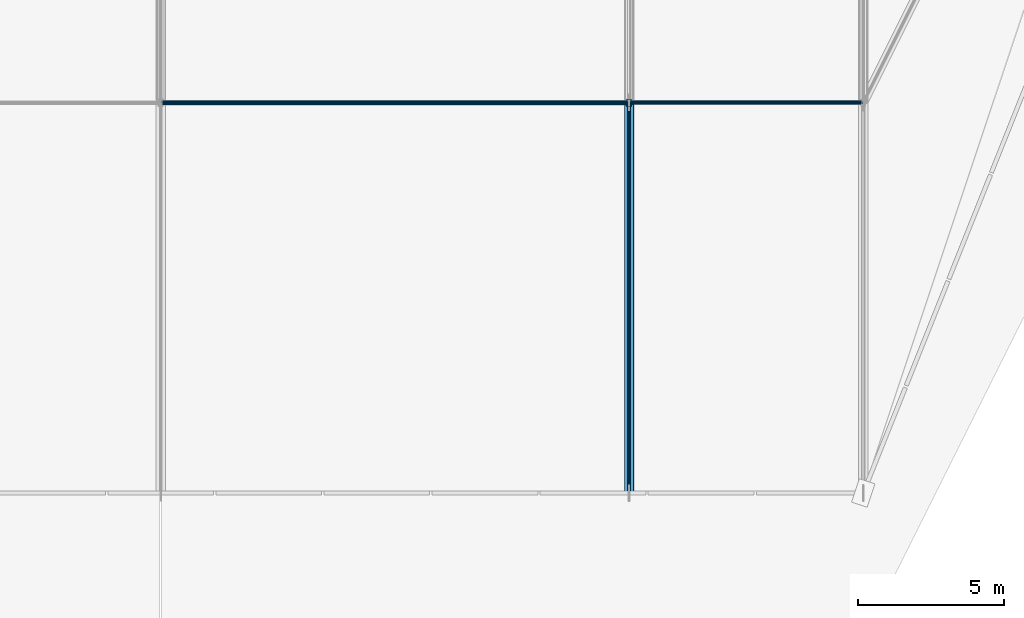
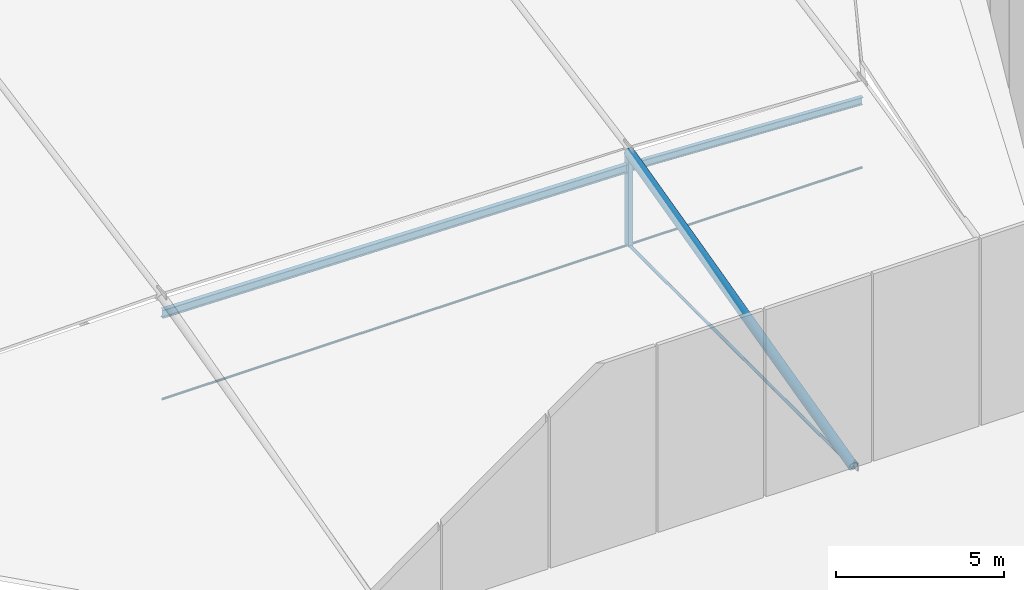
# One storey, part 4 of 30: 7 members.
"""IFC4 building model written with IfcOpenShell, lengths in metres."""

from ifc_helpers import new_model, si_unit, direction, frame, origin, origin_2d, place, context, subcontext, project, spatial, hollow_rectangle, circle, hollow_circle, i_section, extrude, material, material_profile, profile_set, type_object, element, save


model = new_model("IFC4")

# Units and contexts
model_context = context("Model", 3, precision=1e-05, world=origin(), true_north=direction((0.0, 1.0)))
body_context = subcontext(model_context, "Body", "Model", "MODEL_VIEW")
ifc_project = project(units=[si_unit("LENGTHUNIT", "METRE"), si_unit("AREAUNIT", "SQUARE_METRE"), si_unit("VOLUMEUNIT", "CUBIC_METRE"), si_unit("PLANEANGLEUNIT", "RADIAN"), si_unit("MASSUNIT", "GRAM", prefix="KILO")], contexts=[model_context])

# Site, building, storey
site_placement = place(None, origin())
site = spatial("IfcSite", under=ifc_project, at=site_placement, CompositionType="ELEMENT")
building_placement = place(site_placement, origin())
building = spatial("IfcBuilding", under=site, at=building_placement, Name="Tazarka Park Arena", CompositionType="ELEMENT")
storey_placement = place(building_placement, frame((0.0, 0.0, 29.39990234375)))
storey = spatial("IfcBuildingStorey", under=building, at=storey_placement, Name="Roof", CompositionType="ELEMENT", Elevation=29.39990234375)

# Members
ifc_material_1 = material(Name="Locked-coil steel cable S1570", Category="steel")
ifc_material_profile_1 = material_profile(ifc_material_1, circle(Radius=0.0400390625, at=origin_2d()), Name="Locked-coil steel cable S1570")
ifc_profile_set_1 = profile_set([ifc_material_profile_1], Name="Locked-coil steel cable S1570")
member_type_1 = type_object("IfcMemberType", Name="MEM-CBL-01", PredefinedType="USERDEFINED", material=ifc_profile_set_1)
member_1_placement = place(storey_placement, frame((88.0, 37.333251953125, -0.0498046875), z_axis=(1.0, 0.0, 0.0), x_axis=(0.0, 1.0, 0.0)))
element("IfcMember", 1, at=member_1_placement, inside=storey, type_object=member_type_1, Name="CABLE TRANSVERSE 5-1", ObjectType="CABLE", PredefinedType="USERDEFINED", context=body_context, shape_type="SweptSolid", body=[
    extrude(circle(Radius=0.0400390625, at=origin_2d()), origin(), (0.0, 0.0, 1.0), 16.0),
])
member_2_placement = place(storey_placement, frame((104.0, 37.333251953125, -0.0498046875), z_axis=(1.0, 0.0, 0.0), x_axis=(0.0, 1.0, 0.0)))
element("IfcMember", 2, at=member_2_placement, inside=storey, type_object=member_type_1, Name="CABLE TRANSVERSE 6-1", ObjectType="CABLE", PredefinedType="USERDEFINED", context=body_context, shape_type="SweptSolid", body=[
    extrude(circle(Radius=0.0400390625, at=origin_2d()), origin(), (0.0, 0.0, 1.0), 8.0),
])
ifc_material_2 = material(Name="Locked-coil steel cable S1570", Category="steel")
ifc_material_profile_2 = material_profile(ifc_material_2, circle(Radius=0.050048828125, at=origin_2d()), Name="Locked-coil steel cable S1570")
ifc_profile_set_2 = profile_set([ifc_material_profile_2], Name="Locked-coil steel cable S1570")
member_type_2 = type_object("IfcMemberType", Name="MEM-CBL-02", PredefinedType="USERDEFINED", material=ifc_profile_set_2)
member_3_placement = place(storey_placement, frame((104.0, 24.0, -0.0498046875), z_axis=(0.0, 1.0, 0.0), x_axis=(-1.0, 0.0, 0.0)))
element("IfcMember", 3, at=member_3_placement, inside=storey, type_object=member_type_2, Name="CABLE CBL-02-6-1", ObjectType="CABLE", PredefinedType="USERDEFINED", context=body_context, shape_type="SweptSolid", body=[
    extrude(circle(Radius=0.050048828125, at=origin_2d()), origin(), (0.0, 0.0, 1.0), 13.333251953125),
])
ifc_material_3 = material(Name="Steel S460", Category="steel")
ifc_material_profile_3 = material_profile(ifc_material_3, hollow_circle(Radius=0.161865234375, WallThickness=0.01611328125, at=origin_2d()), Name="Steel S460")
ifc_profile_set_3 = profile_set([ifc_material_profile_3], Name="Steel S460")
member_type_3 = type_object("IfcMemberType", Name="MEM-CH-03", PredefinedType="CHORD", material=ifc_profile_set_3)
member_4_placement = place(storey_placement, frame((104.0, 24.0, 0.0), z_axis=(0.0, 0.970314700319, 0.241845782153), x_axis=(-1.0, 0.0, 0.0)))
element("IfcMember", 4, at=member_4_placement, inside=storey, type_object=member_type_3, Name="CABLE ARCH CHORD 6-1", PredefinedType="CHORD", context=body_context, shape_type="SweptSolid", body=[
    extrude(hollow_circle(Radius=0.161865234375, WallThickness=0.01611328125, at=origin_2d()), origin(), (0.0, 0.0, 1.0), 13.7412109375),
])
ifc_material_4 = material(Name="Steel S355", Category="steel")
ifc_material_profile_4 = material_profile(ifc_material_4, i_section(OverallWidth=0.14990234375, OverallDepth=0.300048828125, WebThickness=0.007080078125, FlangeThickness=0.0107421875, FilletRadius=0.014892578125, at=origin_2d()), Name="Steel S355")
ifc_profile_set_4 = profile_set([ifc_material_profile_4], Name="Steel S355")
member_type_4 = type_object("IfcMemberType", Name="MEM-PR-02", PredefinedType="PURLIN", material=ifc_profile_set_4)
member_5_placement = place(storey_placement, frame((88.0, 37.333251953125, 3.0615234375), z_axis=(0.999826204181, 0.0, -0.018642999596), x_axis=(0.0, 1.0, 0.0)))
element("IfcMember", 5, at=member_5_placement, inside=storey, type_object=member_type_4, Name="RPM-04-01", PredefinedType="PURLIN", context=body_context, shape_type="SweptSolid", body=[
    extrude(i_section(OverallWidth=0.14990234375, OverallDepth=0.300048828125, WebThickness=0.007080078125, FlangeThickness=0.0107421875, FilletRadius=0.014892578125, at=origin_2d()), origin(), (0.0, 0.0, 1.0), 16.002685546875),
])
ifc_material_5 = material(Name="Steel S355", Category="steel")
ifc_material_profile_5 = material_profile(ifc_material_5, i_section(OverallWidth=0.135009765625, OverallDepth=0.27001953125, WebThickness=0.006591796875, FlangeThickness=0.01025390625, FilletRadius=0.014892578125, at=origin_2d()), Name="Steel S355")
ifc_profile_set_5 = profile_set([ifc_material_profile_5], Name="Steel S355")
member_type_5 = type_object("IfcMemberType", Name="MEM-PR-03", PredefinedType="PURLIN", material=ifc_profile_set_5)
member_6_placement = place(storey_placement, frame((104.0, 37.333251953125, 2.76318359375), z_axis=(0.998915969307, 0.0, -0.046549825596), x_axis=(0.0, 1.0, 0.0)))
element("IfcMember", 6, at=member_6_placement, inside=storey, type_object=member_type_5, Name="RPM-05-01", PredefinedType="PURLIN", context=body_context, shape_type="SweptSolid", body=[
    extrude(i_section(OverallWidth=0.135009765625, OverallDepth=0.27001953125, WebThickness=0.006591796875, FlangeThickness=0.01025390625, FilletRadius=0.014892578125, at=origin_2d()), origin(), (0.0, 0.0, 1.0), 8.0087890625),
])
ifc_material_6 = material(Name="Steel S355", Category="steel")
ifc_material_profile_6 = material_profile(ifc_material_6, hollow_rectangle(XDim=0.14990234375, YDim=0.25, WallThickness=0.010009765625, at=origin_2d()), Name="Steel S355")
ifc_profile_set_6 = profile_set([ifc_material_profile_6], Name="Steel S355")
member_type_6 = type_object("IfcMemberType", Name="MEM-PT-02", PredefinedType="POST", material=ifc_profile_set_6)
member_7_placement = place(storey_placement, frame((104.0, 37.333251953125, -0.0498046875), z_axis=(0.0, 0.0, 1.0), x_axis=(1.0, 0.0, 0.0)))
element("IfcMember", 7, at=member_7_placement, inside=storey, type_object=member_type_6, Name="CBH-05-1", PredefinedType="POST", context=body_context, shape_type="SweptSolid", body=[
    extrude(hollow_rectangle(XDim=0.14990234375, YDim=0.25, WallThickness=0.010009765625, at=origin_2d()), origin(), (0.0, 0.0, 1.0), 3.373046875),
])

save(model, "model.ifc")
